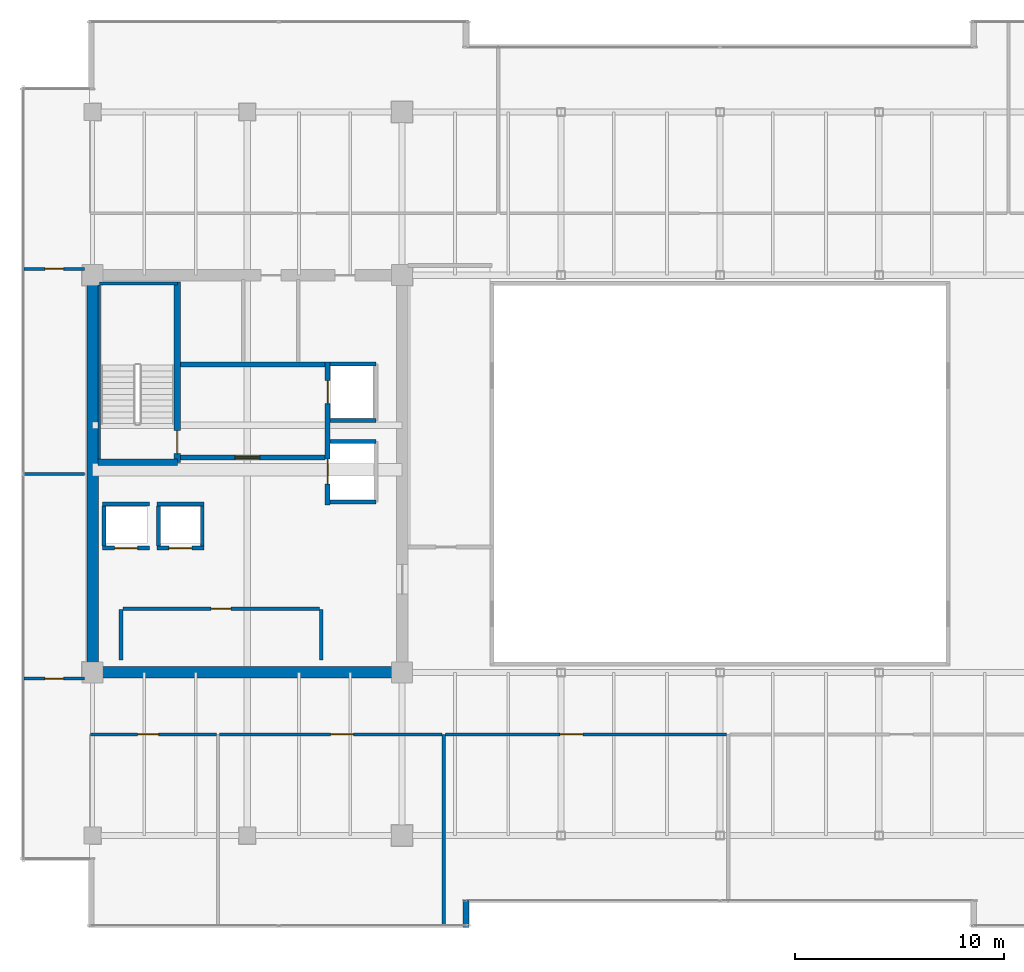
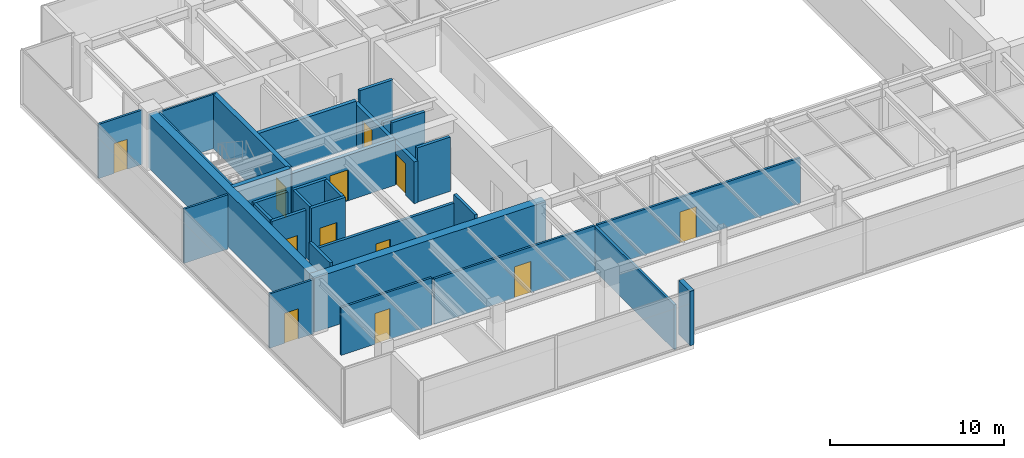
# One storey, part 28 of 36: 31 walls, 12 doors, 12 openings.
"""IFC4 building model written with IfcOpenShell, lengths in metres."""

import ifcopenshell
import ifcopenshell.guid

model = None  # the IFC model being written
_history = None  # IfcOwnerHistory: only IFC2X3 demands one
_inside = {}  # id of a spatial element -> (the spatial element, [elements in it])
_under = {}  # id of a project, library or spatial element -> (it, [spatial elements below it])
_declared = {}  # id of a project -> (the project, [libraries it declares])
_typed = {}  # id of a type object -> (the type object, [elements of that type])
_made_of = {}  # id of a material, layer set ... -> (it, [elements and type objects made of it])


def new_model(schema):
    """Start an empty IFC model of exactly this schema.

    Asked for "IFC4X3", IfcOpenShell would pick the latest addendum, in which some entities
    have other attributes; the version numbers below select the first issue.
    IFC2X3 requires an IfcOwnerHistory on every rooted entity: one is made here for all.
    """
    global model, _history
    if schema == "IFC4X3":
        model = ifcopenshell.file(schema_version=(4, 3, 0, 0))
    else:
        model = ifcopenshell.file(schema=schema)
    _inside.clear()
    _under.clear()
    _declared.clear()
    _typed.clear()
    _made_of.clear()
    _history = None
    if model.schema == "IFC2X3":
        org = make("IfcOrganization", Name="unknown")
        user = make(
            "IfcPersonAndOrganization",
            ThePerson=make("IfcPerson", FamilyName="unknown"),
            TheOrganization=org,
        )
        app = make(
            "IfcApplication",
            ApplicationDeveloper=org,
            Version="unknown",
            ApplicationFullName="unknown",
            ApplicationIdentifier="unknown",
        )
        _history = make(
            "IfcOwnerHistory",
            OwningUser=user,
            OwningApplication=app,
            ChangeAction="ADDED",
            CreationDate=0,
        )
    return model


def make(cls, **values):
    """One entity of the class cls with the attributes given. An attribute that is None is left unset."""
    return model.create_entity(
        cls, **{name: value for name, value in values.items() if value is not None}
    )


def rooted(cls, **values):
    """An entity with a GlobalId (a new one), such as an element, a storey or a relation."""
    return make(cls, GlobalId=ifcopenshell.guid.new(), OwnerHistory=_history, **values)


def si_unit(unit_type, name, prefix=None):
    """IfcSIUnit, for example si_unit("LENGTHUNIT", "METRE", prefix="MILLI")."""
    return make("IfcSIUnit", UnitType=unit_type, Prefix=prefix, Name=name)


def assignment(units):
    """IfcUnitAssignment: the units of a project."""
    return None if units is None else make("IfcUnitAssignment", Units=units)


def point(xyz):
    """IfcCartesianPoint."""
    return None if xyz is None else make("IfcCartesianPoint", Coordinates=xyz)


def direction(xyz):
    """IfcDirection."""
    return None if xyz is None else make("IfcDirection", DirectionRatios=xyz)


def frame(location, z_axis=None, x_axis=None):
    """IfcAxis2Placement3D, a coordinate frame: its origin and axes. An axis left out is left unset."""
    return make(
        "IfcAxis2Placement3D",
        Location=point(location),
        Axis=direction(z_axis),
        RefDirection=direction(x_axis),
    )


def frame_2d(location, x_axis=None):
    """IfcAxis2Placement2D, a coordinate frame in the plane: its origin and x axis."""
    return make(
        "IfcAxis2Placement2D", Location=point(location), RefDirection=direction(x_axis)
    )


def origin():
    """The frame at (0, 0, 0) with its axes left unset."""
    return frame((0.0, 0.0, 0.0))


def place(relative_to, where):
    """IfcLocalPlacement: puts the frame where relative to a parent placement (None: the world)."""
    return make(
        "IfcLocalPlacement", PlacementRelTo=relative_to, RelativePlacement=where
    )


def context(
    kind, dimensions, precision=None, world=None, true_north=None, identifier=None
):
    """IfcGeometricRepresentationContext, for example the 3D "Model" context."""
    return make(
        "IfcGeometricRepresentationContext",
        ContextIdentifier=identifier,
        ContextType=kind,
        CoordinateSpaceDimension=dimensions,
        Precision=precision,
        WorldCoordinateSystem=world,
        TrueNorth=true_north,
    )


def subcontext(parent, identifier, kind, view, scale=None):
    """IfcGeometricRepresentationSubContext, for example "Body" below "Model"."""
    return make(
        "IfcGeometricRepresentationSubContext",
        ContextIdentifier=identifier,
        ContextType=kind,
        ParentContext=parent,
        TargetScale=scale,
        TargetView=view,
    )


def project(units=None, contexts=None):
    """IfcProject with its units and contexts."""
    return rooted(
        "IfcProject",
        Name="project",
        RepresentationContexts=contexts,
        UnitsInContext=assignment(units),
    )


def spatial(cls, under=None, at=None, **own):
    """A site, building, storey or space (cls), placed at a placement, below another one or the project."""
    s = rooted(cls, ObjectPlacement=at, **own)
    if under is not None:
        _under.setdefault(under.id(), (under, []))[1].append(s)
    return s


def profile(cls, at=None, kind="AREA", **sizes):
    """A parametric profile (cls). Its sizes go by their IFC names, for example OverallWidth=200.0."""
    return make(cls, ProfileType=kind, Position=at, **sizes)


def rectangle(**sizes):
    """IfcRectangleProfileDef."""
    return profile("IfcRectangleProfileDef", **sizes)


def extrude(swept, where, along, depth):
    """IfcExtrudedAreaSolid: the profile swept, set in the frame where, extruded along a direction by depth."""
    return make(
        "IfcExtrudedAreaSolid",
        SweptArea=swept,
        Position=where,
        ExtrudedDirection=direction(along),
        Depth=depth,
    )


def shape(context_of_items, identifier, shape_type, items):
    """IfcShapeRepresentation: the items that make up one representation, for example the "Body"."""
    return make(
        "IfcShapeRepresentation",
        ContextOfItems=context_of_items,
        RepresentationIdentifier=identifier,
        RepresentationType=shape_type,
        Items=items,
    )


def source(mapping_origin, context_of_items, identifier, shape_type, items):
    """IfcRepresentationMap: a shape defined once, which mapped items show again and again."""
    return make(
        "IfcRepresentationMap",
        MappingOrigin=mapping_origin,
        MappedRepresentation=shape(context_of_items, identifier, shape_type, items),
    )


def transform(
    local_origin,
    x_axis=None,
    y_axis=None,
    z_axis=None,
    scale=None,
    scale2=None,
    scale3=None,
    uniform=True,
):
    """IfcCartesianTransformationOperator3D, or its non-uniform kind. x_axis, y_axis, z_axis: its Axis1, 2, 3."""
    if uniform:
        return make(
            "IfcCartesianTransformationOperator3D",
            Axis1=direction(x_axis),
            Axis2=direction(y_axis),
            LocalOrigin=point(local_origin),
            Scale=scale,
            Axis3=direction(z_axis),
        )
    return make(
        "IfcCartesianTransformationOperator3DnonUniform",
        Axis1=direction(x_axis),
        Axis2=direction(y_axis),
        LocalOrigin=point(local_origin),
        Scale=scale,
        Axis3=direction(z_axis),
        Scale2=scale2,
        Scale3=scale3,
    )


def mapped(mapping_source, mapping_target):
    """IfcMappedItem: shows the shape of a source again, moved by a transform."""
    return make(
        "IfcMappedItem", MappingSource=mapping_source, MappingTarget=mapping_target
    )


def material(Name=None, Category=None):
    """IfcMaterial."""
    return make("IfcMaterial", Name=Name, Category=Category)


def layer(
    of_material, thickness, ventilated=None, Name=None, Category=None, Priority=None
):
    """IfcMaterialLayer: one layer of a wall or slab, of a material (None: an air gap)."""
    return make(
        "IfcMaterialLayer",
        Material=of_material,
        LayerThickness=thickness,
        IsVentilated=ventilated,
        Name=Name,
        Category=Category,
        Priority=Priority,
    )


def layer_set(layers, Name=None):
    """IfcMaterialLayerSet."""
    return make("IfcMaterialLayerSet", MaterialLayers=layers, LayerSetName=Name)


def made_of(thing, what):
    """Note that an element or type object is made of a material, layer set ...; save() writes the relation."""
    if what is not None:
        _made_of.setdefault(what.id(), (what, []))[1].append(thing)
    return thing


def type_object(cls, material=None, **own):
    """A type object (cls), such as IfcWallType, which elements share."""
    return made_of(rooted(cls, **own), material)


def type_shapes(of_type, sources):
    """Give a type object the sources (RepresentationMaps) that its elements show as mapped items."""
    of_type.RepresentationMaps = sources


def element(
    cls,
    number,
    at=None,
    inside=None,
    cuts=None,
    type_object=None,
    material=None,
    context=None,
    identifier="Body",
    shape_type=None,
    held_by="IfcProductDefinitionShape",
    body=None,
    shapes=None,
    **own,
):
    """One element of the class cls, such as IfcWall. Its Tag is "e" and its number.

    at: its placement. inside: the storey or other place that contains it. cuts: it is an
    opening in that element (IfcRelVoidsElement). A single representation is given by context,
    identifier, shape_type and body (its items); several are given by shapes. held_by: the class
    of the entity that holds the representations. save() writes the other relations.
    """
    e = rooted(cls, Tag="e%d" % number, ObjectPlacement=at, **own)
    if body is not None:
        shapes = [shape(context, identifier, shape_type, body)]
    if shapes is not None:
        e.Representation = make(held_by, Representations=shapes)
    if inside is not None:
        _inside.setdefault(inside.id(), (inside, []))[1].append(e)
    if cuts is not None:
        rooted(
            "IfcRelVoidsElement", RelatingBuildingElement=cuts, RelatedOpeningElement=e
        )
    if type_object is not None:
        _typed.setdefault(type_object.id(), (type_object, []))[1].append(e)
    return made_of(e, material)


def fill(opening, filler):
    """IfcRelFillsElement: the door or window that sits in an opening."""
    return rooted(
        "IfcRelFillsElement",
        RelatingOpeningElement=opening,
        RelatedBuildingElement=filler,
    )


def aggregate(whole, parts):
    """IfcRelAggregates: a whole, such as a stair, and the parts it consists of."""
    return rooted("IfcRelAggregates", RelatingObject=whole, RelatedObjects=parts)


def save(model, path):
    """Write the relations noted so far, then the file.

    IfcRelAggregates (storeys below a building ...), IfcRelContainedInSpatialStructure (elements
    in a storey), IfcRelDefinesByType, IfcRelAssociatesMaterial and IfcRelDeclares: one each for
    every whole, place, type object, material and project.
    """
    for whole, parts in _under.values():
        aggregate(whole, parts)
    for where, things in _inside.values():
        rooted(
            "IfcRelContainedInSpatialStructure",
            RelatedElements=things,
            RelatingStructure=where,
        )
    for kind, things in _typed.values():
        rooted("IfcRelDefinesByType", RelatedObjects=things, RelatingType=kind)
    for what, things in _made_of.values():
        rooted("IfcRelAssociatesMaterial", RelatedObjects=things, RelatingMaterial=what)
    for by, libraries in _declared.values():
        rooted("IfcRelDeclares", RelatingContext=by, RelatedDefinitions=libraries)
    model.write(path)


model = new_model("IFC4")

# Units and contexts
model_context = context("Model", 3, precision=1e-05, world=origin(), true_north=direction((0.0, 1.0)))
body_context = subcontext(model_context, "Body", "Model", "MODEL_VIEW")
ifc_project = project(units=[si_unit("LENGTHUNIT", "METRE"), si_unit("AREAUNIT", "SQUARE_METRE"), si_unit("VOLUMEUNIT", "CUBIC_METRE"), si_unit("PLANEANGLEUNIT", "RADIAN"), si_unit("MASSUNIT", "GRAM", prefix="KILO")], contexts=[model_context])

# Site, building, storey
site_placement = place(None, origin())
site = spatial("IfcSite", under=ifc_project, at=site_placement, CompositionType="ELEMENT")
building_placement = place(site_placement, origin())
building = spatial("IfcBuilding", under=site, at=building_placement, Name="Haelvirn Gate Laboratories", CompositionType="ELEMENT")
storey_placement = place(building_placement, frame((0.0, 0.0, 262.89990234375)))
storey = spatial("IfcBuildingStorey", under=building, at=storey_placement, Name="L63", CompositionType="ELEMENT", Elevation=262.89990234375)

# Walls
ifc_material_1 = material(Name="Thermally-broken bronze aluminium rainscreen & mineral wool", Category="aluminium")
ifc_layer_1 = layer(ifc_material_1, 0.280029296875, Name="EW-TERR-280")
ifc_layer_set_1 = layer_set([ifc_layer_1], Name="Thermally-broken bronze aluminium rainscreen & mineral wool")
wall_type_1 = type_object("IfcWallType", Name="EW-TERR-280", PredefinedType="STANDARD", material=ifc_layer_set_1)
wall_1_placement = place(storey_placement, frame((25.260009765625, 2.60009765625, 0.0), z_axis=(0.0, 0.0, 1.0), x_axis=(0.0, 1.0, 0.0)))
element("IfcWall", 1, at=wall_1_placement, inside=storey, type_object=wall_type_1, Name="L63 Atrium Recess Bronze Return Wall 01", PredefinedType="STANDARD", context=body_context, shape_type="SweptSolid", body=[
    extrude(rectangle(XDim=1.29296875, YDim=0.280029296875, at=frame_2d((0.646484375, 0.0))), origin(), (0.0, 0.0, 1.0), 3.800048828125),
])
ifc_material_2 = material(Name="Double-layer acoustic gypsum laboratory partition", Category="gypsum")
ifc_layer_2 = layer(ifc_material_2, 0.159912109375, Name="IW-ACOUST-160")
ifc_layer_set_2 = layer_set([ifc_layer_2], Name="Double-layer acoustic gypsum laboratory partition")
wall_type_2 = type_object("IfcWallType", Name="IW-ACOUST-160", PredefinedType="PARTITIONING", material=ifc_layer_set_2)
wall_2_placement = place(storey_placement, frame((24.199951171875, 2.7099609375, 0.0), z_axis=(0.0, 0.0, 1.0), x_axis=(0.0, 1.0, 0.0)))
element("IfcWall", 2, at=wall_2_placement, inside=storey, type_object=wall_type_2, Name="L63 Interior Wall IW-L63-SDIV-02", PredefinedType="PARTITIONING", context=body_context, shape_type="SweptSolid", body=[
    extrude(rectangle(XDim=9.130126953125, YDim=0.159912109375, at=frame_2d((4.56494140625, 0.0))), origin(), (0.0, 0.0, 1.0), 3.135009765625),
])

# Wall, opening, door
ifc_material_3 = material(Name="Acoustic mineral-wool gypsum board partition", Category="gypsum")
ifc_layer_3 = layer(ifc_material_3, 0.139892578125, Name="IW-PART-140")
ifc_layer_set_3 = layer_set([ifc_layer_3], Name="Acoustic mineral-wool gypsum board partition")
wall_type_3 = type_object("IfcWallType", Name="IW-PART-140", PredefinedType="PARTITIONING", material=ifc_layer_set_3)
wall_3_placement = place(storey_placement, frame((7.31005859375, 11.840087890625, 0.0), z_axis=(0.0, 0.0, 1.0), x_axis=(1.0, 0.0, 0.0)))
wall_3 = element("IfcWall", 3, at=wall_3_placement, inside=storey, type_object=wall_type_3, Name="L63 Interior Wall IW-L63-SCORR-01", PredefinedType="PARTITIONING", context=body_context, shape_type="SweptSolid", body=[
    extrude(rectangle(XDim=6.010009765625, YDim=0.139892578125, at=frame_2d((3.0048828125, 0.0))), origin(), (0.0, 0.0, 1.0), 3.335205078125),
])
opening_1_placement = place(wall_3_placement, frame((2.246337890625, 0.0, 0.0)))
opening_1 = element("IfcOpeningElement", 4, at=opening_1_placement, cuts=wall_3, Name="Opening D2", PredefinedType="OPENING", context=body_context, shape_type="SweptSolid", body=[
    extrude(rectangle(XDim=1.0, YDim=2.14990234375, at=frame_2d((0.5, 1.074951171875))), frame((0.0, 0.080078125, 0.0), z_axis=(0.0, -1.0, 0.0), x_axis=(1.0, 0.0, 0.0)), (0.0, 0.0, 1.0), 0.159912109375),
])
ifc_material_4 = material(Name="Acoustic solid-core timber suite door", Category="wood")
door_type_1 = type_object("IfcDoorType", Name="DR-INT-1000", OperationType="NOTDEFINED", PredefinedType="DOOR", material=ifc_material_4)
shared_shape_1 = source(origin(), body_context, "Body", "SweptSolid", [
    extrude(rectangle(XDim=1.0, YDim=2.14990234375, at=frame_2d((0.5, 1.074951171875))), frame((0.0, 0.02490234375, 0.0), z_axis=(0.0, -1.0, 0.0), x_axis=(1.0, 0.0, 0.0)), (0.0, 0.0, 1.0), 0.050048828125),
])
type_shapes(door_type_1, [shared_shape_1])
door_1_placement = place(opening_1_placement, origin())
door_1 = element("IfcDoor", 5, at=door_1_placement, inside=storey, type_object=door_type_1, Name="L63 Bioinformatics Dry-Lab Workspace Door S1", OperationType="SINGLE_SWING_RIGHT", OverallHeight=2.14990234375, OverallWidth=1.0, PredefinedType="DOOR", context=body_context, shape_type="MappedRepresentation", body=[
    mapped(shared_shape_1, transform((0.0, 0.0, 0.0), scale=1.0)),
])
fill(opening_1, door_1)

wall_4_placement = place(storey_placement, frame((13.47998046875, 11.840087890625, 0.0), z_axis=(0.0, 0.0, 1.0), x_axis=(1.0, 0.0, 0.0)))
wall_4 = element("IfcWall", 6, at=wall_4_placement, inside=storey, type_object=wall_type_3, Name="L63 Interior Wall IW-L63-SCORR-02", PredefinedType="PARTITIONING", context=body_context, shape_type="SweptSolid", body=[
    extrude(rectangle(XDim=10.64013671875, YDim=0.139892578125, at=frame_2d((5.320068359375, 0.0))), origin(), (0.0, 0.0, 1.0), 3.197021484375),
])
opening_2_placement = place(wall_4_placement, frame((5.30029296875, 0.0, 0.0)))
opening_2 = element("IfcOpeningElement", 7, at=opening_2_placement, cuts=wall_4, Name="Opening D1", PredefinedType="OPENING", context=body_context, shape_type="SweptSolid", body=[
    extrude(rectangle(XDim=1.10009765625, YDim=2.179931640625, at=frame_2d((0.550048828125, 1.08984375))), frame((0.0, 0.080078125, 0.0), z_axis=(0.0, -1.0, 0.0), x_axis=(1.0, 0.0, 0.0)), (0.0, 0.0, 1.0), 0.159912109375),
])
ifc_material_5 = material(Name="Vision-panel acoustic solid-core timber lab door", Category="wood")
door_type_2 = type_object("IfcDoorType", Name="DR-LAB-1100", OperationType="NOTDEFINED", PredefinedType="DOOR", material=ifc_material_5)
shared_shape_2 = source(origin(), body_context, "Body", "SweptSolid", [
    extrude(rectangle(XDim=1.10009765625, YDim=2.179931640625, at=frame_2d((0.550048828125, 1.08984375))), frame((0.0, 0.02490234375, 0.0), z_axis=(0.0, -1.0, 0.0), x_axis=(1.0, 0.0, 0.0)), (0.0, 0.0, 1.0), 0.050048828125),
])
type_shapes(door_type_2, [shared_shape_2])
door_2_placement = place(opening_2_placement, origin())
door_2 = element("IfcDoor", 8, at=door_2_placement, inside=storey, type_object=door_type_2, Name="L63 Translational Data Office Door S2", OperationType="SINGLE_SWING_LEFT", OverallHeight=2.179931640625, OverallWidth=1.10009765625, PredefinedType="DOOR", context=body_context, shape_type="MappedRepresentation", body=[
    mapped(shared_shape_2, transform((0.0, 0.0, 0.0), scale=1.0)),
])
fill(opening_2, door_2)

wall_5_placement = place(storey_placement, frame((24.280029296875, 11.840087890625, 0.0), z_axis=(0.0, 0.0, 1.0), x_axis=(1.0, 0.0, 0.0)))
wall_5 = element("IfcWall", 9, at=wall_5_placement, inside=storey, type_object=wall_type_3, Name="L63 Interior Wall IW-L63-SCORR-03", PredefinedType="PARTITIONING", context=body_context, shape_type="SweptSolid", body=[
    extrude(rectangle(XDim=13.43994140625, YDim=0.139892578125, at=frame_2d((6.719970703125, 0.0))), origin(), (0.0, 0.0, 1.0), 3.197021484375),
])
opening_3_placement = place(wall_5_placement, frame((5.4716796875, 0.0, 0.0)))
opening_3 = element("IfcOpeningElement", 10, at=opening_3_placement, cuts=wall_5, Name="Opening D1", PredefinedType="OPENING", context=body_context, shape_type="SweptSolid", body=[
    extrude(rectangle(XDim=1.10009765625, YDim=2.179931640625, at=frame_2d((0.550048828125, 1.08984375))), frame((0.0, 0.080078125, 0.0), z_axis=(0.0, -1.0, 0.0), x_axis=(1.0, 0.0, 0.0)), (0.0, 0.0, 1.0), 0.159912109375),
])
door_3_placement = place(opening_3_placement, origin())
door_3 = element("IfcDoor", 11, at=door_3_placement, inside=storey, type_object=door_type_2, Name="L63 Scientific Reference Library Door S3", OperationType="SINGLE_SWING_RIGHT", OverallHeight=2.179931640625, OverallWidth=1.10009765625, PredefinedType="DOOR", context=body_context, shape_type="MappedRepresentation", body=[
    mapped(shared_shape_2, transform((0.0, 0.0, 0.0), scale=1.0)),
])
fill(opening_3, door_3)

# Wall
wall_6_placement = place(storey_placement, frame((4.110107421875, 24.300048828125, 0.0), z_axis=(0.0, 0.0, 1.0), x_axis=(1.0, 0.0, 0.0)))
element("IfcWall", 12, at=wall_6_placement, inside=storey, type_object=wall_type_3, Name="L63 Interior Wall IW-L63-WZ3-MID", PredefinedType="PARTITIONING", context=body_context, shape_type="SweptSolid", body=[
    extrude(rectangle(XDim=2.909912109375, YDim=0.139892578125, at=frame_2d((1.455078125, 0.0))), origin(), (0.0, 0.0, 1.0), 3.800048828125),
])

# Wall, opening, door
wall_7_placement = place(storey_placement, frame((4.110107421875, 14.5048828125, 0.0), z_axis=(0.0, 0.0, 1.0), x_axis=(1.0, 0.0, 0.0)))
wall_7 = element("IfcWall", 13, at=wall_7_placement, inside=storey, type_object=wall_type_3, Name="L63 Interior Wall IW-L63-WZ3-ENT-S", PredefinedType="PARTITIONING", context=body_context, shape_type="SweptSolid", body=[
    extrude(rectangle(XDim=2.909912109375, YDim=0.139892578125, at=frame_2d((1.455078125, 0.0))), origin(), (0.0, 0.0, 1.0), 3.800048828125),
])
opening_4_placement = place(wall_7_placement, frame((1.0048828125, 0.0, 0.0)))
opening_4 = element("IfcOpeningElement", 14, at=opening_4_placement, cuts=wall_7, Name="Opening D4", PredefinedType="OPENING", context=body_context, shape_type="SweptSolid", body=[
    extrude(rectangle(XDim=0.89990234375, YDim=2.10009765625, at=frame_2d((0.449951171875, 1.050048828125))), frame((0.0, 0.080078125, 0.0), z_axis=(0.0, -1.0, 0.0), x_axis=(1.0, 0.0, 0.0)), (0.0, 0.0, 1.0), 0.159912109375),
])
ifc_material_6 = material(Name="Glazed aluminium-framed write-up door", Category="aluminium")
door_type_3 = type_object("IfcDoorType", Name="DR-OFF-900", OperationType="NOTDEFINED", PredefinedType="DOOR", material=ifc_material_6)
shared_shape_3 = source(origin(), body_context, "Body", "SweptSolid", [
    extrude(rectangle(XDim=0.89990234375, YDim=2.10009765625, at=frame_2d((0.449951171875, 1.050048828125))), frame((0.0, 0.02490234375, 0.0), z_axis=(0.0, -1.0, 0.0), x_axis=(1.0, 0.0, 0.0)), (0.0, 0.0, 1.0), 0.050048828125),
])
type_shapes(door_type_3, [shared_shape_3])
door_4_placement = place(opening_4_placement, origin())
door_4 = element("IfcDoor", 15, at=door_4_placement, inside=storey, type_object=door_type_3, Name="L63 Peer-Review Seminar Room Door W-S", OperationType="SINGLE_SWING_LEFT", OverallHeight=2.10009765625, OverallWidth=0.89990234375, PredefinedType="DOOR", context=body_context, shape_type="MappedRepresentation", body=[
    mapped(shared_shape_3, transform((0.0, 0.0, 0.0), scale=1.0)),
])
fill(opening_4, door_4)

wall_8_placement = place(storey_placement, frame((4.110107421875, 34.094970703125, 0.0), z_axis=(0.0, 0.0, 1.0), x_axis=(1.0, 0.0, 0.0)))
wall_8 = element("IfcWall", 16, at=wall_8_placement, inside=storey, type_object=wall_type_3, Name="L63 Interior Wall IW-L63-WZ3-ENT-N", PredefinedType="PARTITIONING", context=body_context, shape_type="SweptSolid", body=[
    extrude(rectangle(XDim=2.909912109375, YDim=0.139892578125, at=frame_2d((1.455078125, 0.0))), origin(), (0.0, 0.0, 1.0), 3.800048828125),
])
opening_5_placement = place(wall_8_placement, frame((1.0048828125, 0.0, 0.0)))
opening_5 = element("IfcOpeningElement", 17, at=opening_5_placement, cuts=wall_8, Name="Opening D4", PredefinedType="OPENING", context=body_context, shape_type="SweptSolid", body=[
    extrude(rectangle(XDim=0.89990234375, YDim=2.10009765625, at=frame_2d((0.449951171875, 1.050048828125))), frame((0.0, 0.080078125, 0.0), z_axis=(0.0, -1.0, 0.0), x_axis=(1.0, 0.0, 0.0)), (0.0, 0.0, 1.0), 0.159912109375),
])
door_5_placement = place(opening_5_placement, origin())
door_5 = element("IfcDoor", 18, at=door_5_placement, inside=storey, type_object=door_type_3, Name="L63 Protocol Briefing Training Room Door W-N", OperationType="SINGLE_SWING_RIGHT", OverallHeight=2.10009765625, OverallWidth=0.89990234375, PredefinedType="DOOR", context=body_context, shape_type="MappedRepresentation", body=[
    mapped(shared_shape_3, transform((0.0, 0.0, 0.0), scale=1.0)),
])
fill(opening_5, door_5)

# Walls
ifc_material_7 = material(Name="Concrete C40/50", Category="concrete")
ifc_layer_4 = layer(ifc_material_7, 0.179931640625, Name="IW-SHAFT-180")
ifc_layer_set_4 = layer_set([ifc_layer_4], Name="Concrete C40/50")
wall_type_4 = type_object("IfcWallType", Name="IW-SHAFT-180", PredefinedType="SOLIDWALL", material=ifc_layer_set_4)
for number, where, z_axis, x_axis, name in (
    (19, (7.949951171875, 20.85009765625, 0.0), (0.0, 0.0, 1.0), (0.0, 1.0, 0.0), "L63 Interior Wall IW-L63-PL9-SD"),
    (20, (10.550048828125, 20.85009765625, 0.0), (0.0, 0.0, 1.0), (0.0, 1.0, 0.0), "L63 Interior Wall IW-L63-PL10-SD"),
    (21, (12.64990234375, 20.85009765625, 0.0), (0.0, 0.0, 1.0), (0.0, 1.0, 0.0), "L63 Interior Wall IW-L63-PL10-SDE"),
):
    element("IfcWall", number, at=place(storey_placement, frame(where, z_axis=z_axis, x_axis=x_axis)), inside=storey, type_object=wall_type_4, Name=name, PredefinedType="SOLIDWALL", context=body_context, shape_type="SweptSolid", body=[
        extrude(rectangle(XDim=1.89990234375, YDim=0.179931640625, at=frame_2d((0.949951171875, 0.0))), origin(), (0.0, 0.0, 1.0), 3.800048828125),
    ])

# Wall, opening, door
wall_9_placement = place(storey_placement, frame((8.85009765625, 17.85009765625, 0.0), z_axis=(0.0, 0.0, 1.0), x_axis=(1.0, 0.0, 0.0)))
wall_9 = element("IfcWall", 22, at=wall_9_placement, inside=storey, type_object=wall_type_4, Name="L63 Interior Wall IW-L63-W-FREED-HN-1", PredefinedType="SOLIDWALL", context=body_context, shape_type="SweptSolid", body=[
    extrude(rectangle(XDim=9.39990234375, YDim=0.179931640625, at=frame_2d((4.699951171875, 0.0))), origin(), (0.0, 0.0, 1.0), 3.197021484375),
])
opening_6_placement = place(wall_9_placement, frame((4.22509765625, 0.0, 0.0)))
opening_6 = element("IfcOpeningElement", 23, at=opening_6_placement, cuts=wall_9, Name="Opening FD4", PredefinedType="OPENING", context=body_context, shape_type="SweptSolid", body=[
    extrude(rectangle(XDim=0.949951171875, YDim=2.14990234375, at=frame_2d((0.47509765625, 1.074951171875))), frame((0.0, 0.10009765625, 0.0), z_axis=(0.0, -1.0, 0.0), x_axis=(1.0, 0.0, 0.0)), (0.0, 0.0, 1.0), 0.199951171875),
])
ifc_material_8 = material(Name="Fire-rated steel SM355 core service door", Category="steel")
door_type_4 = type_object("IfcDoorType", Name="DR-FD-950", OperationType="NOTDEFINED", PredefinedType="DOOR", material=ifc_material_8)
shared_shape_4 = source(origin(), body_context, "Body", "SweptSolid", [
    extrude(rectangle(XDim=0.949951171875, YDim=2.14990234375, at=frame_2d((0.47509765625, 1.074951171875))), frame((0.0, 0.02490234375, 0.0), z_axis=(0.0, -1.0, 0.0), x_axis=(1.0, 0.0, 0.0)), (0.0, 0.0, 1.0), 0.050048828125),
])
type_shapes(door_type_4, [shared_shape_4])
door_6_placement = place(opening_6_placement, origin())
door_6 = element("IfcDoor", 24, at=door_6_placement, inside=storey, type_object=door_type_4, Name="L63 Core Metrology & Calibration Laboratory Door", OperationType="SINGLE_SWING_LEFT", OverallHeight=2.14990234375, OverallWidth=0.949951171875, PredefinedType="DOOR", context=body_context, shape_type="MappedRepresentation", body=[
    mapped(shared_shape_4, transform((0.0, 0.0, 0.0), scale=1.0)),
])
fill(opening_6, door_6)

# Walls
for number, where, z_axis, x_axis, name in (
    (25, (18.340087890625, 15.39990234375, 0.0), (0.0, 0.0, 1.0), (0.0, 1.0, 0.0), "L63 Interior Wall IW-L63-W-FREED-HE-1"),
    (26, (8.760009765625, 15.39990234375, 0.0), (0.0, 0.0, 1.0), (0.0, 1.0, 0.0), "L63 Interior Wall IW-L63-W-FREED-HW-1"),
):
    element("IfcWall", number, at=place(storey_placement, frame(where, z_axis=z_axis, x_axis=x_axis)), inside=storey, type_object=wall_type_4, Name=name, PredefinedType="SOLIDWALL", context=body_context, shape_type="SweptSolid", body=[
        extrude(rectangle(XDim=2.400146484375, YDim=0.179931640625, at=frame_2d((1.2001953125, 0.0))), origin(), (0.0, 0.0, 1.0), 3.800048828125),
    ])

# Wall, opening, door
ifc_layer_5 = layer(ifc_material_7, 0.199951171875, Name="IW-SHAFT-200")
ifc_layer_set_5 = layer_set([ifc_layer_5], Name="Concrete C40/50")
wall_type_5 = type_object("IfcWallType", Name="IW-SHAFT-200", PredefinedType="SOLIDWALL", material=ifc_layer_set_5)
wall_10_placement = place(storey_placement, frame((7.8701171875, 20.75, 0.0), z_axis=(0.0, 0.0, 1.0), x_axis=(1.0, 0.0, 0.0)))
wall_10 = element("IfcWall", 27, at=wall_10_placement, inside=storey, type_object=wall_type_5, Name="L63 Interior Wall IW-L63-PL9-FR", PredefinedType="SOLIDWALL", context=body_context, shape_type="SweptSolid", body=[
    extrude(rectangle(XDim=2.259765625, YDim=0.199951171875, at=frame_2d((1.1298828125, 0.0))), origin(), (0.0, 0.0, 1.0), 3.800048828125),
])
opening_7_placement = place(wall_10_placement, frame((0.580078125, 0.0, 0.0)))
opening_7 = element("IfcOpeningElement", 28, at=opening_7_placement, cuts=wall_10, Name="Opening LD2", PredefinedType="OPENING", context=body_context, shape_type="SweptSolid", body=[
    extrude(rectangle(XDim=1.10009765625, YDim=2.219970703125, at=frame_2d((0.550048828125, 1.10986328125))), frame((0.0, 0.10986328125, 0.0), z_axis=(0.0, -1.0, 0.0), x_axis=(1.0, 0.0, 0.0)), (0.0, 0.0, 1.0), 0.219970703125),
])
ifc_material_9 = material(Name="Bronze stainless 316L sliding lift landing door")
door_type_5 = type_object("IfcDoorType", Name="DR-LD-1100", OperationType="NOTDEFINED", PredefinedType="USERDEFINED", material=ifc_material_9)
shared_shape_5 = source(origin(), body_context, "Body", "SweptSolid", [
    extrude(rectangle(XDim=1.10009765625, YDim=2.219970703125, at=frame_2d((0.550048828125, 1.10986328125))), frame((0.0, 0.02490234375, 0.0), z_axis=(0.0, -1.0, 0.0), x_axis=(1.0, 0.0, 0.0)), (0.0, 0.0, 1.0), 0.050048828125),
])
type_shapes(door_type_5, [shared_shape_5])
door_7_placement = place(opening_7_placement, origin())
door_7 = element("IfcDoor", 29, at=door_7_placement, inside=storey, type_object=door_type_5, Name="L63 Passenger Lift PL9 Landing Door", ObjectType="LANDING_DOOR", OperationType="SLIDING_TO_LEFT", OverallHeight=2.219970703125, OverallWidth=1.10009765625, PredefinedType="USERDEFINED", context=body_context, shape_type="MappedRepresentation", body=[
    mapped(shared_shape_5, transform((0.0, 0.0, 0.0), scale=1.0)),
])
fill(opening_7, door_7)

# Wall
wall_11_placement = place(storey_placement, frame((7.8701171875, 22.85009765625, 0.0), z_axis=(0.0, 0.0, 1.0), x_axis=(1.0, 0.0, 0.0)))
element("IfcWall", 30, at=wall_11_placement, inside=storey, type_object=wall_type_5, Name="L63 Interior Wall IW-L63-PL9-BK", PredefinedType="SOLIDWALL", context=body_context, shape_type="SweptSolid", body=[
    extrude(rectangle(XDim=2.259765625, YDim=0.199951171875, at=frame_2d((1.1298828125, 0.0))), origin(), (0.0, 0.0, 1.0), 3.800048828125),
])

# Wall, opening, door
wall_12_placement = place(storey_placement, frame((10.469970703125, 20.75, 0.0), z_axis=(0.0, 0.0, 1.0), x_axis=(1.0, 0.0, 0.0)))
wall_12 = element("IfcWall", 31, at=wall_12_placement, inside=storey, type_object=wall_type_5, Name="L63 Interior Wall IW-L63-PL10-FR", PredefinedType="SOLIDWALL", context=body_context, shape_type="SweptSolid", body=[
    extrude(rectangle(XDim=2.260009765625, YDim=0.199951171875, at=frame_2d((1.1298828125, 0.0))), origin(), (0.0, 0.0, 1.0), 3.800048828125),
])
opening_8_placement = place(wall_12_placement, frame((0.580078125, 0.0, 0.0)))
opening_8 = element("IfcOpeningElement", 32, at=opening_8_placement, cuts=wall_12, Name="Opening LD2", PredefinedType="OPENING", context=body_context, shape_type="SweptSolid", body=[
    extrude(rectangle(XDim=1.10009765625, YDim=2.219970703125, at=frame_2d((0.550048828125, 1.10986328125))), frame((0.0, 0.10986328125, 0.0), z_axis=(0.0, -1.0, 0.0), x_axis=(1.0, 0.0, 0.0)), (0.0, 0.0, 1.0), 0.219970703125),
])
door_8_placement = place(opening_8_placement, origin())
door_8 = element("IfcDoor", 33, at=door_8_placement, inside=storey, type_object=door_type_5, Name="L63 Passenger Lift PL10 Landing Door", ObjectType="LANDING_DOOR", OperationType="SLIDING_TO_RIGHT", OverallHeight=2.219970703125, OverallWidth=1.10009765625, PredefinedType="USERDEFINED", context=body_context, shape_type="MappedRepresentation", body=[
    mapped(shared_shape_5, transform((0.0, 0.0, 0.0), scale=1.0)),
])
fill(opening_8, door_8)

# Walls
wall_13_placement = place(storey_placement, frame((10.469970703125, 22.85009765625, 0.0), z_axis=(0.0, 0.0, 1.0), x_axis=(1.0, 0.0, 0.0)))
element("IfcWall", 34, at=wall_13_placement, inside=storey, type_object=wall_type_5, Name="L63 Interior Wall IW-L63-PL10-BK", PredefinedType="SOLIDWALL", context=body_context, shape_type="SweptSolid", body=[
    extrude(rectangle(XDim=2.260009765625, YDim=0.199951171875, at=frame_2d((1.1298828125, 0.0))), origin(), (0.0, 0.0, 1.0), 3.800048828125),
])
wall_14_placement = place(storey_placement, frame((18.760009765625, 29.550048828125, 0.0), z_axis=(0.0, 0.0, 1.0), x_axis=(1.0, 0.0, 0.0)))
element("IfcWall", 35, at=wall_14_placement, inside=storey, type_object=wall_type_5, Name="L63 Interior Wall IW-L63-FL1-N", PredefinedType="SOLIDWALL", context=body_context, shape_type="SweptSolid", body=[
    extrude(rectangle(XDim=2.18994140625, YDim=0.199951171875, at=frame_2d((1.094970703125, 0.0))), origin(), (0.0, 0.0, 1.0), 3.800048828125),
])
wall_15_placement = place(storey_placement, frame((18.760009765625, 26.85009765625, 0.0), z_axis=(0.0, 0.0, 1.0), x_axis=(1.0, 0.0, 0.0)))
element("IfcWall", 36, at=wall_15_placement, inside=storey, type_object=wall_type_5, Name="L63 Interior Wall IW-L63-FL1-S", PredefinedType="SOLIDWALL", context=body_context, shape_type="SweptSolid", body=[
    extrude(rectangle(XDim=2.18994140625, YDim=0.199951171875, at=frame_2d((1.094970703125, 0.0))), origin(), (0.0, 0.0, 1.0), 3.197021484375),
])
for number, where, z_axis, x_axis, name in (
    (37, (18.760009765625, 25.85009765625, 0.0), (0.0, 0.0, 1.0), (1.0, 0.0, 0.0), "L63 Interior Wall IW-L63-SL1-N"),
    (38, (18.760009765625, 22.949951171875, 0.0), (0.0, 0.0, 1.0), (1.0, 0.0, 0.0), "L63 Interior Wall IW-L63-SL1-S"),
):
    element("IfcWall", number, at=place(storey_placement, frame(where, z_axis=z_axis, x_axis=x_axis)), inside=storey, type_object=wall_type_5, Name=name, PredefinedType="SOLIDWALL", context=body_context, shape_type="SweptSolid", body=[
        extrude(rectangle(XDim=2.18994140625, YDim=0.199951171875, at=frame_2d((1.094970703125, 0.0))), origin(), (0.0, 0.0, 1.0), 3.800048828125),
    ])

# Wall, opening, door
ifc_layer_6 = layer(ifc_material_7, 0.239990234375, Name="IW-SHAFT-240")
ifc_layer_set_6 = layer_set([ifc_layer_6], Name="Concrete C40/50")
wall_type_6 = type_object("IfcWallType", Name="IW-SHAFT-240", PredefinedType="SOLIDWALL", material=ifc_layer_set_6)
wall_16_placement = place(storey_placement, frame((11.60009765625, 25.080078125, 0.0), z_axis=(0.0, 0.0, 1.0), x_axis=(1.0, 0.0, 0.0)))
wall_16 = element("IfcWall", 39, at=wall_16_placement, inside=storey, type_object=wall_type_6, Name="L63 Interior Wall IW-L63-W-FF-S", PredefinedType="SOLIDWALL", context=body_context, shape_type="SweptSolid", body=[
    extrude(rectangle(XDim=6.919921875, YDim=0.239990234375, at=frame_2d((3.4599609375, 0.0))), origin(), (0.0, 0.0, 1.0), 3.197021484375),
])
opening_9_placement = place(wall_16_placement, frame((2.60009765625, 0.0, 0.0)))
opening_9 = element("IfcOpeningElement", 40, at=opening_9_placement, cuts=wall_16, Name="Opening FD2", PredefinedType="OPENING", context=body_context, shape_type="SweptSolid", body=[
    extrude(rectangle(XDim=1.199951171875, YDim=2.159912109375, at=frame_2d((0.60009765625, 1.080078125))), frame((0.0, 0.1298828125, 0.0), z_axis=(0.0, -1.0, 0.0), x_axis=(1.0, 0.0, 0.0)), (0.0, 0.0, 1.0), 0.260009765625),
])
ifc_material_10 = material(Name="Fire-rated steel SM355 compartment door", Category="steel")
door_type_6 = type_object("IfcDoorType", Name="DR-FD-1200", OperationType="NOTDEFINED", PredefinedType="DOOR", material=ifc_material_10)
shared_shape_6 = source(origin(), body_context, "Body", "SweptSolid", [
    extrude(rectangle(XDim=1.199951171875, YDim=2.159912109375, at=frame_2d((0.60009765625, 1.080078125))), frame((0.0, 0.02490234375, 0.0), z_axis=(0.0, -1.0, 0.0), x_axis=(1.0, 0.0, 0.0)), (0.0, 0.0, 1.0), 0.050048828125),
])
type_shapes(door_type_6, [shared_shape_6])
door_9_placement = place(opening_9_placement, origin())
door_9 = element("IfcDoor", 41, at=door_9_placement, inside=storey, type_object=door_type_6, Name="L63 West Firefighting Lobby Door", OperationType="SINGLE_SWING_RIGHT", OverallHeight=2.159912109375, OverallWidth=1.199951171875, PredefinedType="DOOR", context=body_context, shape_type="MappedRepresentation", body=[
    mapped(shared_shape_6, transform((0.0, 0.0, 0.0), scale=1.0)),
])
fill(opening_9, door_9)

# Wall
wall_17_placement = place(storey_placement, frame((11.60009765625, 29.52001953125, 0.0), z_axis=(0.0, 0.0, 1.0), x_axis=(1.0, 0.0, 0.0)))
element("IfcWall", 42, at=wall_17_placement, inside=storey, type_object=wall_type_6, Name="L63 Interior Wall IW-L63-W-FF-N", PredefinedType="SOLIDWALL", context=body_context, shape_type="SweptSolid", body=[
    extrude(rectangle(XDim=6.919921875, YDim=0.239990234375, at=frame_2d((3.4599609375, 0.0))), origin(), (0.0, 0.0, 1.0), 3.197021484375),
])

# Wall, openings, doors
wall_18_placement = place(storey_placement, frame((18.639892578125, 22.800048828125, 0.0), z_axis=(0.0, 0.0, 1.0), x_axis=(0.0, 1.0, 0.0)))
wall_18 = element("IfcWall", 43, at=wall_18_placement, inside=storey, type_object=wall_type_6, Name="L63 Interior Wall IW-L63-W-FF-E", PredefinedType="SOLIDWALL", context=body_context, shape_type="SweptSolid", body=[
    extrude(rectangle(XDim=6.849853515625, YDim=0.239990234375, at=frame_2d((3.4248046875, 0.0))), origin(), (0.0, 0.0, 1.0), 2.93505859375),
])
opening_10_placement = place(wall_18_placement, frame((4.85009765625, 0.0, 0.0)))
opening_10 = element("IfcOpeningElement", 44, at=opening_10_placement, cuts=wall_18, Name="Opening LD2", PredefinedType="OPENING", context=body_context, shape_type="SweptSolid", body=[
    extrude(rectangle(XDim=1.10009765625, YDim=2.219970703125, at=frame_2d((0.550048828125, 1.10986328125))), frame((0.0, 0.1298828125, 0.0), z_axis=(0.0, -1.0, 0.0), x_axis=(1.0, 0.0, 0.0)), (0.0, 0.0, 1.0), 0.260009765625),
])
opening_11_placement = place(wall_18_placement, frame((1.0, 0.0, 0.0)))
opening_11 = element("IfcOpeningElement", 45, at=opening_11_placement, cuts=wall_18, Name="Opening LD1", PredefinedType="OPENING", context=body_context, shape_type="SweptSolid", body=[
    extrude(rectangle(XDim=1.199951171875, YDim=2.219970703125, at=frame_2d((0.60009765625, 1.10986328125))), frame((0.0, 0.1298828125, 0.0), z_axis=(0.0, -1.0, 0.0), x_axis=(1.0, 0.0, 0.0)), (0.0, 0.0, 1.0), 0.260009765625),
])
door_10_placement = place(opening_10_placement, origin())
door_10 = element("IfcDoor", 46, at=door_10_placement, inside=storey, type_object=door_type_5, Name="L63 Firefighting Lift FL1 Landing Door", ObjectType="LANDING_DOOR", OperationType="SLIDING_TO_LEFT", OverallHeight=2.219970703125, OverallWidth=1.10009765625, PredefinedType="USERDEFINED", context=body_context, shape_type="MappedRepresentation", body=[
    mapped(shared_shape_5, transform((0.0, 0.0, 0.0), scale=1.0)),
])
fill(opening_10, door_10)
ifc_material_11 = material(Name="Stainless steel 316L sliding goods landing door", Category="steel")
door_type_7 = type_object("IfcDoorType", Name="DR-LD-1200", OperationType="NOTDEFINED", PredefinedType="USERDEFINED", material=ifc_material_11)
shared_shape_7 = source(origin(), body_context, "Body", "SweptSolid", [
    extrude(rectangle(XDim=1.199951171875, YDim=2.219970703125, at=frame_2d((0.60009765625, 1.10986328125))), frame((0.0, 0.02490234375, 0.0), z_axis=(0.0, -1.0, 0.0), x_axis=(1.0, 0.0, 0.0)), (0.0, 0.0, 1.0), 0.050048828125),
])
type_shapes(door_type_7, [shared_shape_7])
door_11_placement = place(opening_11_placement, origin())
door_11 = element("IfcDoor", 47, at=door_11_placement, inside=storey, type_object=door_type_7, Name="L63 Service Lift SL1 Landing Door", ObjectType="LANDING_DOOR", OperationType="SLIDING_TO_RIGHT", OverallHeight=2.219970703125, OverallWidth=1.199951171875, PredefinedType="USERDEFINED", context=body_context, shape_type="MappedRepresentation", body=[
    mapped(shared_shape_7, transform((0.0, 0.0, 0.0), scale=1.0)),
])
fill(opening_11, door_11)

# Walls
ifc_material_12 = material(Name="Concrete C50/60", Category="concrete")
ifc_layer_7 = layer(ifc_material_12, 0.550048828125, Name="SW-CORE-550")
ifc_layer_set_7 = layer_set([ifc_layer_7], Name="Concrete C50/60")
wall_type_7 = type_object("IfcWallType", Name="SW-CORE-550", PredefinedType="SHEAR", material=ifc_layer_set_7)
wall_19_placement = place(storey_placement, frame((7.125, 14.800048828125, 0.0), z_axis=(0.0, 0.0, 1.0), x_axis=(1.0, 0.0, 0.0)))
element("IfcWall", 48, at=wall_19_placement, inside=storey, type_object=wall_type_7, Name="L63 W Core Shear Wall S", PredefinedType="SHEAR", context=body_context, shape_type="SweptSolid", body=[
    extrude(rectangle(XDim=15.35009765625, YDim=0.550048828125, at=frame_2d((7.675048828125, 0.0))), origin(), (0.0, 0.0, 1.0), 3.800048828125),
])
wall_20_placement = place(storey_placement, frame((7.39990234375, 15.074951171875, 0.0), z_axis=(0.0, 0.0, 1.0), x_axis=(0.0, 1.0, 0.0)))
element("IfcWall", 49, at=wall_20_placement, inside=storey, type_object=wall_type_7, Name="L63 W Core Shear Wall W", PredefinedType="SHEAR", context=body_context, shape_type="SweptSolid", body=[
    extrude(rectangle(XDim=18.449951171875, YDim=0.550048828125, at=frame_2d((9.22509765625, 0.0))), origin(), (0.0, 0.0, 1.0), 3.800048828125),
])
ifc_layer_8 = layer(ifc_material_12, 0.1201171875, Name="SW-LINER-120")
ifc_layer_set_8 = layer_set([ifc_layer_8], Name="Concrete C50/60")
wall_type_8 = type_object("IfcWallType", Name="SW-LINER-120", PredefinedType="SOLIDWALL", material=ifc_layer_set_8)
wall_21_placement = place(storey_placement, frame((7.72998046875, 33.39990234375, 0.0), z_axis=(0.0, 0.0, 1.0), x_axis=(1.0, 0.0, 0.0)))
element("IfcWall", 50, at=wall_21_placement, inside=storey, type_object=wall_type_8, Name="L63 W Core Stair Shaft Liner Wall N", PredefinedType="SOLIDWALL", context=body_context, shape_type="SweptSolid", body=[
    extrude(rectangle(XDim=3.719970703125, YDim=0.1201171875, at=frame_2d((1.85986328125, 0.0))), origin(), (0.0, 0.0, 1.0), 3.800048828125),
])
wall_22_placement = place(storey_placement, frame((7.72998046875, 25.0, 0.0), z_axis=(0.0, 0.0, 1.0), x_axis=(0.0, 1.0, 0.0)))
element("IfcWall", 51, at=wall_22_placement, inside=storey, type_object=wall_type_8, Name="L63 W Core Stair Shaft Liner Wall OUT", PredefinedType="SOLIDWALL", context=body_context, shape_type="SweptSolid", body=[
    extrude(rectangle(XDim=8.320068359375, YDim=0.1201171875, at=frame_2d((4.16015625, 0.0))), origin(), (0.0, 0.0, 1.0), 3.800048828125),
])

# Wall, opening, door
ifc_layer_9 = layer(ifc_material_12, 0.300048828125, Name="SW-STAIR-300")
ifc_layer_set_9 = layer_set([ifc_layer_9], Name="Concrete C50/60")
wall_type_9 = type_object("IfcWallType", Name="SW-STAIR-300", PredefinedType="SHEAR", material=ifc_layer_set_9)
wall_23_placement = place(storey_placement, frame((11.449951171875, 24.85009765625, 0.0), z_axis=(0.0, 0.0, 1.0), x_axis=(0.0, 1.0, 0.0)))
wall_23 = element("IfcWall", 52, at=wall_23_placement, inside=storey, type_object=wall_type_9, Name="L63 W Core Stair Shaft Structural Wall IN", PredefinedType="SHEAR", context=body_context, shape_type="SweptSolid", body=[
    extrude(rectangle(XDim=8.6298828125, YDim=0.300048828125, at=frame_2d((4.31494140625, 0.0))), origin(), (0.0, 0.0, 1.0), 3.800048828125),
])
opening_12_placement = place(wall_23_placement, frame((0.419921875, 0.0, 0.0)))
opening_12 = element("IfcOpeningElement", 53, at=opening_12_placement, cuts=wall_23, Name="Opening FD3", PredefinedType="OPENING", context=body_context, shape_type="SweptSolid", body=[
    extrude(rectangle(XDim=1.10009765625, YDim=2.14990234375, at=frame_2d((0.550048828125, 1.074951171875))), frame((0.0, 0.16015625, 0.0), z_axis=(0.0, -1.0, 0.0), x_axis=(1.0, 0.0, 0.0)), (0.0, 0.0, 1.0), 0.320068359375),
])
ifc_material_13 = material(Name="Fire-rated steel SM355 escape stair door", Category="steel")
door_type_8 = type_object("IfcDoorType", Name="DR-FD-1100", OperationType="NOTDEFINED", PredefinedType="DOOR", material=ifc_material_13)
shared_shape_8 = source(origin(), body_context, "Body", "SweptSolid", [
    extrude(rectangle(XDim=1.10009765625, YDim=2.14990234375, at=frame_2d((0.550048828125, 1.074951171875))), frame((0.0, 0.02490234375, 0.0), z_axis=(0.0, -1.0, 0.0), x_axis=(1.0, 0.0, 0.0)), (0.0, 0.0, 1.0), 0.050048828125),
])
type_shapes(door_type_8, [shared_shape_8])
door_12_placement = place(opening_12_placement, origin())
door_12 = element("IfcDoor", 54, at=door_12_placement, inside=storey, type_object=door_type_8, Name="L63 Escape Stair ST1 Fire Door", OperationType="SINGLE_SWING_LEFT", OverallHeight=2.14990234375, OverallWidth=1.10009765625, PredefinedType="DOOR", context=body_context, shape_type="MappedRepresentation", body=[
    mapped(shared_shape_8, transform((0.0, 0.0, 0.0), scale=1.0)),
])
fill(opening_12, door_12)

# Wall
wall_24_placement = place(storey_placement, frame((7.64990234375, 24.85009765625, 0.0), z_axis=(0.0, 0.0, 1.0), x_axis=(1.0, 0.0, 0.0)))
element("IfcWall", 55, at=wall_24_placement, inside=storey, type_object=wall_type_9, Name="L63 W Core Stair Shaft Structural Wall S", PredefinedType="SHEAR", context=body_context, shape_type="SweptSolid", body=[
    extrude(rectangle(XDim=3.800048828125, YDim=0.300048828125, at=frame_2d((1.89990234375, 0.0))), origin(), (0.0, 0.0, 1.0), 3.800048828125),
])

save(model, "model.ifc")
